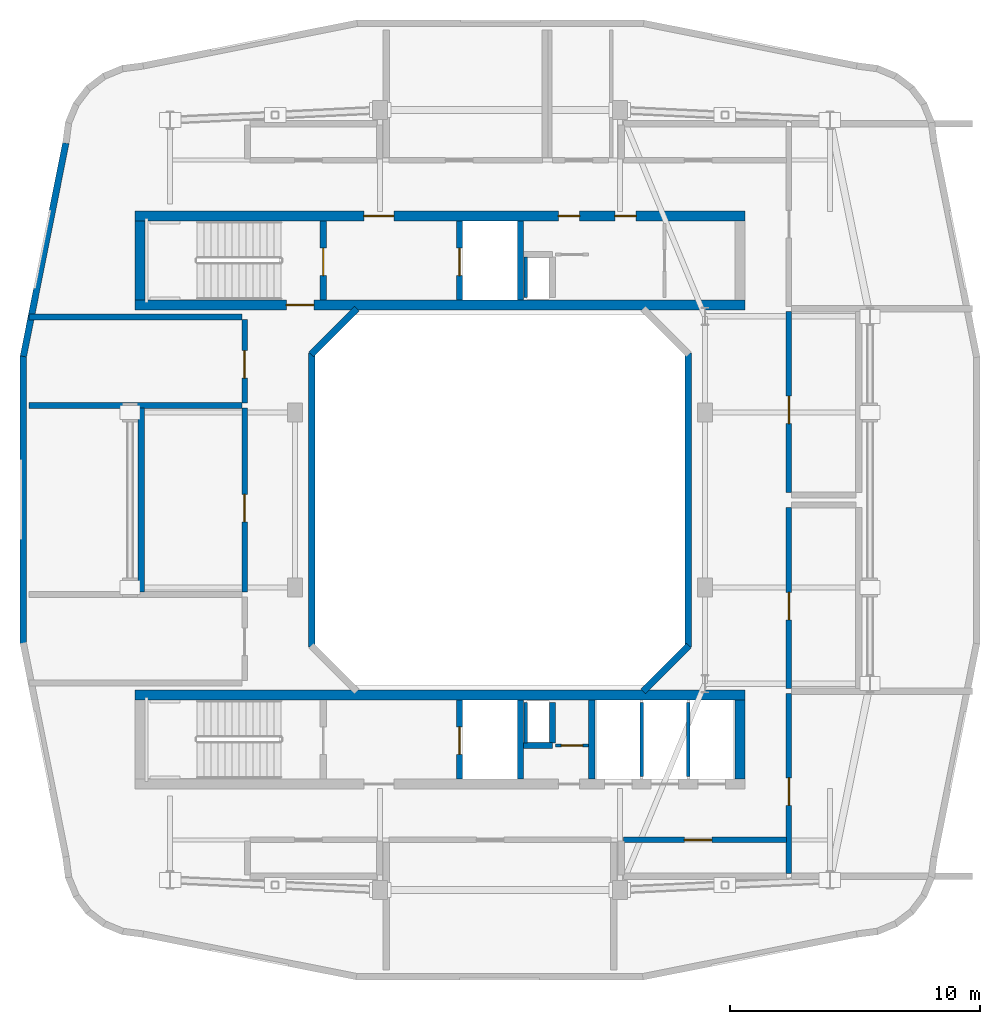
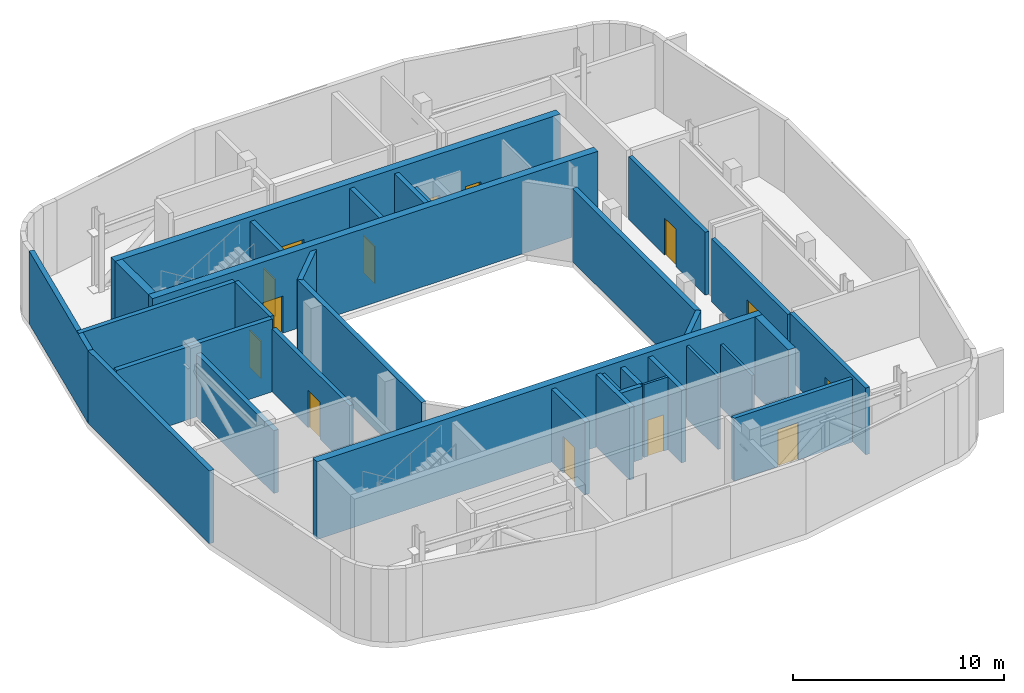
# One storey, part 4 of 9: 33 walls, 14 doors, 14 openings.
"""IFC4 building model written with IfcOpenShell, lengths in metres."""

from ifc_helpers import new_model, si_unit, derived_unit, direction, frame, frame_2d, origin, place, context, subcontext, project, spatial, rectangle, extrude, material, layer, layer_set, type_object, element, fill, save


model = new_model("IFC4")

# Units and contexts
model_context = context("Model", 3, precision=1e-05, world=origin(), true_north=direction((0.0, 1.0)))
body_context = subcontext(model_context, "Body", "Model", "MODEL_VIEW")
ifc_project = project(units=[si_unit("LENGTHUNIT", "METRE"), si_unit("AREAUNIT", "SQUARE_METRE"), si_unit("VOLUMEUNIT", "CUBIC_METRE"), si_unit("PLANEANGLEUNIT", "RADIAN"), si_unit("MASSUNIT", "GRAM", prefix="KILO"), derived_unit("THERMALTRANSMITTANCEUNIT", [(si_unit("POWERUNIT", "WATT"), 1), (si_unit("LENGTHUNIT", "METRE"), -2), (si_unit("THERMODYNAMICTEMPERATUREUNIT", "KELVIN"), -1)])], contexts=[model_context])

# Site, building, storey
site_placement = place(None, origin())
site = spatial("IfcSite", under=ifc_project, at=site_placement, CompositionType="ELEMENT")
building_placement = place(site_placement, origin())
building = spatial("IfcBuilding", under=site, at=building_placement, Name="Kivonza Crest Hotel", CompositionType="ELEMENT")
storey_placement = place(building_placement, frame((0.0, 0.0, 238.699951171875)))
storey = spatial("IfcBuildingStorey", under=building, at=storey_placement, Name="L65", CompositionType="ELEMENT", Elevation=238.699951171875)

# Wall, opening, door
ifc_material_1 = material(Name="Autoclaved aerated concrete blockwork", Category="masonry")
ifc_layer_1 = layer(ifc_material_1, 0.219970703125)
ifc_layer_set_1 = layer_set([ifc_layer_1], Name="Autoclaved aerated concrete blockwork")
wall_type_1 = type_object("IfcWallType", Name="WL-ACOU-220", PredefinedType="SOLIDWALL", material=ifc_layer_set_1)
wall_1_placement = place(storey_placement, frame((10.780029296875, 21.320068359375, 0.0), z_axis=(0.0, 0.0, 1.0), x_axis=(0.0, 1.0, 0.0)))
wall_1 = element("IfcWall", 1, at=wall_1_placement, inside=storey, type_object=wall_type_1, Name="L65 interior partition WA-L65-PL-CHL-E", PredefinedType="SOLIDWALL", context=body_context, shape_type="SweptSolid", body=[
    extrude(rectangle(XDim=7.35986328125, YDim=0.219970703125, at=frame_2d((3.679931640625, 0.0))), origin(), (0.0, 0.0, 1.0), 3.64501953125),
])
opening_1_placement = place(wall_1_placement, frame((2.806884765625, 0.0, 0.0)))
opening_1 = element("IfcOpeningElement", 2, at=opening_1_placement, cuts=wall_1, Name="Opening DF-120", PredefinedType="OPENING", context=body_context, shape_type="SweptSolid", body=[
    extrude(rectangle(XDim=1.10009765625, YDim=2.14990234375, at=frame_2d((0.550048828125, 1.074951171875))), frame((0.0, 0.1201171875, 0.0), z_axis=(0.0, -1.0, 0.0), x_axis=(1.0, 0.0, 0.0)), (0.0, 0.0, 1.0), 0.239990234375),
])
ifc_material_2 = material(Name="Galvanised steel", Category="steel")
door_type_1 = type_object("IfcDoorType", Name="DR-FD120-1100", OperationType="NOTDEFINED", PredefinedType="DOOR", material=ifc_material_2)
door_1_placement = place(opening_1_placement, origin())
door_1 = element("IfcDoor", 3, at=door_1_placement, inside=storey, type_object=door_type_1, Name="L65 Chilled Water Header Plant Room door", OperationType="SINGLE_SWING_LEFT", OverallHeight=2.14990234375, OverallWidth=1.10009765625, PredefinedType="DOOR", context=body_context, shape_type="SweptSolid", body=[
    extrude(rectangle(XDim=1.10009765625, YDim=2.14990234375, at=frame_2d((0.550048828125, 1.074951171875))), frame((0.0, 0.02490234375, 0.0), z_axis=(0.0, -1.0, 0.0), x_axis=(1.0, 0.0, 0.0)), (0.0, 0.0, 1.0), 0.050048828125),
])
fill(opening_1, door_1)

wall_2_placement = place(storey_placement, frame((10.780029296875, 28.8798828125, 0.0), z_axis=(0.0, 0.0, 1.0), x_axis=(0.0, 1.0, 0.0)))
wall_2 = element("IfcWall", 4, at=wall_2_placement, inside=storey, type_object=wall_type_1, Name="L65 interior partition WA-L65-PL-AHU-E", PredefinedType="SOLIDWALL", context=body_context, shape_type="SweptSolid", body=[
    extrude(rectangle(XDim=3.340087890625, YDim=0.219970703125, at=frame_2d((1.669921875, 0.0))), origin(), (0.0, 0.0, 1.0), 4.219970703125),
])
opening_2_placement = place(wall_2_placement, frame((0.998046875, 0.0, 0.0)))
opening_2 = element("IfcOpeningElement", 5, at=opening_2_placement, cuts=wall_2, Name="Opening DF-120", PredefinedType="OPENING", context=body_context, shape_type="SweptSolid", body=[
    extrude(rectangle(XDim=1.10009765625, YDim=2.14990234375, at=frame_2d((0.550048828125, 1.074951171875))), frame((0.0, 0.1201171875, 0.0), z_axis=(0.0, -1.0, 0.0), x_axis=(1.0, 0.0, 0.0)), (0.0, 0.0, 1.0), 0.239990234375),
])
door_2_placement = place(opening_2_placement, origin())
door_2 = element("IfcDoor", 6, at=door_2_placement, inside=storey, type_object=door_type_1, Name="L65 AHU Air Handling Plant Room door", OperationType="SINGLE_SWING_RIGHT", OverallHeight=2.14990234375, OverallWidth=1.10009765625, PredefinedType="DOOR", context=body_context, shape_type="SweptSolid", body=[
    extrude(rectangle(XDim=1.10009765625, YDim=2.14990234375, at=frame_2d((0.550048828125, 1.074951171875))), frame((0.0, 0.02490234375, 0.0), z_axis=(0.0, -1.0, 0.0), x_axis=(1.0, 0.0, 0.0)), (0.0, 0.0, 1.0), 0.050048828125),
])
fill(opening_2, door_2)

wall_3_placement = place(storey_placement, frame((25.949951171875, 11.39990234375, 0.0), z_axis=(0.0, 0.0, 1.0), x_axis=(1.0, 0.0, 0.0)))
wall_3 = element("IfcWall", 7, at=wall_3_placement, inside=storey, type_object=wall_type_1, Name="L65 interior partition WA-L65-PL-MIDS-N", PredefinedType="SOLIDWALL", context=body_context, shape_type="SweptSolid", body=[
    extrude(rectangle(XDim=6.510009765625, YDim=0.219970703125, at=frame_2d((3.2548828125, 0.0))), origin(), (0.0, 0.0, 1.0), 3.64501953125),
])
opening_3_placement = place(wall_3_placement, frame((2.425048828125, 0.0, 0.0)))
opening_3 = element("IfcOpeningElement", 8, at=opening_3_placement, cuts=wall_3, Name="Opening DF-120", PredefinedType="OPENING", context=body_context, shape_type="SweptSolid", body=[
    extrude(rectangle(XDim=1.10009765625, YDim=2.14990234375, at=frame_2d((0.550048828125, 1.074951171875))), frame((0.0, 0.1201171875, 0.0), z_axis=(0.0, -1.0, 0.0), x_axis=(1.0, 0.0, 0.0)), (0.0, 0.0, 1.0), 0.239990234375),
])
door_3_placement = place(opening_3_placement, frame((1.10009765625, 0.0, 0.0), z_axis=(0.0, 0.0, 1.0), x_axis=(-1.0, 0.0, 0.0)))
door_3 = element("IfcDoor", 9, at=door_3_placement, inside=storey, type_object=door_type_1, Name="L65 South-East Header Plant Room door", OperationType="SINGLE_SWING_LEFT", OverallHeight=2.14990234375, OverallWidth=1.10009765625, PredefinedType="DOOR", context=body_context, shape_type="SweptSolid", body=[
    extrude(rectangle(XDim=1.10009765625, YDim=2.14990234375, at=frame_2d((0.550048828125, 1.074951171875))), frame((0.0, 0.02490234375, 0.0), z_axis=(0.0, -1.0, 0.0), x_axis=(1.0, 0.0, 0.0)), (0.0, 0.0, 1.0), 0.050048828125),
])
fill(opening_3, door_3)

wall_4_placement = place(storey_placement, frame((32.56005859375, 17.449951171875, 0.0), z_axis=(0.0, 0.0, 1.0), x_axis=(0.0, 1.0, 0.0)))
wall_4 = element("IfcWall", 10, at=wall_4_placement, inside=storey, type_object=wall_type_1, Name="L65 interior partition WA-L65-PL-HEX-W", PredefinedType="SOLIDWALL", context=body_context, shape_type="SweptSolid", body=[
    extrude(rectangle(XDim=7.25, YDim=0.219970703125, at=frame_2d((3.625, 0.0))), origin(), (0.0, 0.0, 1.0), 3.64501953125),
])
opening_4_placement = place(wall_4_placement, frame((2.757080078125, 0.0, 0.0)))
opening_4 = element("IfcOpeningElement", 11, at=opening_4_placement, cuts=wall_4, Name="Opening DF-120", PredefinedType="OPENING", context=body_context, shape_type="SweptSolid", body=[
    extrude(rectangle(XDim=1.10009765625, YDim=2.14990234375, at=frame_2d((0.550048828125, 1.074951171875))), frame((0.0, 0.1201171875, 0.0), z_axis=(0.0, -1.0, 0.0), x_axis=(1.0, 0.0, 0.0)), (0.0, 0.0, 1.0), 0.239990234375),
])
door_4_placement = place(opening_4_placement, frame((1.10009765625, 0.0, 0.0), z_axis=(0.0, 0.0, 1.0), x_axis=(-1.0, 0.0, 0.0)))
door_4 = element("IfcDoor", 12, at=door_4_placement, inside=storey, type_object=door_type_1, Name="L65 Plate Heat Exchanger Plant Room door", OperationType="SINGLE_SWING_LEFT", OverallHeight=2.14990234375, OverallWidth=1.10009765625, PredefinedType="DOOR", context=body_context, shape_type="SweptSolid", body=[
    extrude(rectangle(XDim=1.10009765625, YDim=2.14990234375, at=frame_2d((0.550048828125, 1.074951171875))), frame((0.0, 0.02490234375, 0.0), z_axis=(0.0, -1.0, 0.0), x_axis=(1.0, 0.0, 0.0)), (0.0, 0.0, 1.0), 0.050048828125),
])
fill(opening_4, door_4)

wall_5_placement = place(storey_placement, frame((32.56005859375, 25.300048828125, 0.0), z_axis=(0.0, 0.0, 1.0), x_axis=(0.0, 1.0, 0.0)))
wall_5 = element("IfcWall", 13, at=wall_5_placement, inside=storey, type_object=wall_type_1, Name="L65 interior partition WA-L65-PL-SWG-W", PredefinedType="SOLIDWALL", context=body_context, shape_type="SweptSolid", body=[
    extrude(rectangle(XDim=7.25, YDim=0.219970703125, at=frame_2d((3.625, 0.0))), origin(), (0.0, 0.0, 1.0), 3.64501953125),
])
opening_5_placement = place(wall_5_placement, frame((2.757080078125, 0.0, 0.0)))
opening_5 = element("IfcOpeningElement", 14, at=opening_5_placement, cuts=wall_5, Name="Opening DF-120", PredefinedType="OPENING", context=body_context, shape_type="SweptSolid", body=[
    extrude(rectangle(XDim=1.10009765625, YDim=2.14990234375, at=frame_2d((0.550048828125, 1.074951171875))), frame((0.0, 0.1201171875, 0.0), z_axis=(0.0, -1.0, 0.0), x_axis=(1.0, 0.0, 0.0)), (0.0, 0.0, 1.0), 0.239990234375),
])
door_5_placement = place(opening_5_placement, frame((1.10009765625, 0.0, 0.0), z_axis=(0.0, 0.0, 1.0), x_axis=(-1.0, 0.0, 0.0)))
door_5 = element("IfcDoor", 15, at=door_5_placement, inside=storey, type_object=door_type_1, Name="L65 High-Zone Electrical Switchroom door", OperationType="SINGLE_SWING_RIGHT", OverallHeight=2.14990234375, OverallWidth=1.10009765625, PredefinedType="DOOR", context=body_context, shape_type="SweptSolid", body=[
    extrude(rectangle(XDim=1.10009765625, YDim=2.14990234375, at=frame_2d((0.550048828125, 1.074951171875))), frame((0.0, 0.02490234375, 0.0), z_axis=(0.0, -1.0, 0.0), x_axis=(1.0, 0.0, 0.0)), (0.0, 0.0, 1.0), 0.050048828125),
])
fill(opening_5, door_5)

wall_6_placement = place(storey_placement, frame((32.56005859375, 10.050048828125, 0.0), z_axis=(0.0, 0.0, 1.0), x_axis=(0.0, 1.0, 0.0)))
wall_6 = element("IfcWall", 16, at=wall_6_placement, inside=storey, type_object=wall_type_1, Name="L65 interior partition WA-L65-PL-ESTS-W", PredefinedType="SOLIDWALL", context=body_context, shape_type="SweptSolid", body=[
    extrude(rectangle(XDim=7.199951171875, YDim=0.219970703125, at=frame_2d((3.60009765625, 0.0))), origin(), (0.0, 0.0, 1.0), 3.864990234375),
])
opening_6_placement = place(wall_6_placement, frame((2.735107421875, 0.0, 0.0)))
opening_6 = element("IfcOpeningElement", 17, at=opening_6_placement, cuts=wall_6, Name="Opening DF-120", PredefinedType="OPENING", context=body_context, shape_type="SweptSolid", body=[
    extrude(rectangle(XDim=1.10009765625, YDim=2.14990234375, at=frame_2d((0.550048828125, 1.074951171875))), frame((0.0, 0.1201171875, 0.0), z_axis=(0.0, -1.0, 0.0), x_axis=(1.0, 0.0, 0.0)), (0.0, 0.0, 1.0), 0.239990234375),
])
door_6_placement = place(opening_6_placement, frame((1.10009765625, 0.0, 0.0), z_axis=(0.0, 0.0, 1.0), x_axis=(-1.0, 0.0, 0.0)))
door_6 = element("IfcDoor", 18, at=door_6_placement, inside=storey, type_object=door_type_1, Name="L65 South-East Smoke Extract Plant Room door", OperationType="SINGLE_SWING_LEFT", OverallHeight=2.14990234375, OverallWidth=1.10009765625, PredefinedType="DOOR", context=body_context, shape_type="SweptSolid", body=[
    extrude(rectangle(XDim=1.10009765625, YDim=2.14990234375, at=frame_2d((0.550048828125, 1.074951171875))), frame((0.0, 0.02490234375, 0.0), z_axis=(0.0, -1.0, 0.0), x_axis=(1.0, 0.0, 0.0)), (0.0, 0.0, 1.0), 0.050048828125),
])
fill(opening_6, door_6)

ifc_material_3 = material(Name="Concrete C50/60", Category="concrete")
ifc_layer_2 = layer(ifc_material_3, 0.39990234375)
ifc_layer_set_2 = layer_set([ifc_layer_2], Name="Concrete C50/60")
wall_type_2 = type_object("IfcWallType", Name="WL-CORE-400", PredefinedType="SHEAR", material=ifc_layer_set_2)
wall_7_placement = place(storey_placement, frame((6.39990234375, 32.800048828125, 0.0), z_axis=(0.0, 0.0, 1.0), x_axis=(1.0, 0.0, 0.0)))
wall_7 = element("IfcWall", 19, at=wall_7_placement, inside=storey, type_object=wall_type_2, Name="Core wall T1-N South L65", PredefinedType="SHEAR", context=body_context, shape_type="SweptSolid", body=[
    extrude(rectangle(XDim=24.400146484375, YDim=0.39990234375, at=frame_2d((12.2001953125, 0.0))), origin(), (0.0, 0.0, 1.0), 4.5),
])
opening_7_placement = place(wall_7_placement, frame((6.050048828125, 0.0, 0.0)))
opening_7 = element("IfcOpeningElement", 20, at=opening_7_placement, cuts=wall_7, Name="Opening DF-120", PredefinedType="OPENING", context=body_context, shape_type="SweptSolid", body=[
    extrude(rectangle(XDim=1.10009765625, YDim=2.14990234375, at=frame_2d((0.550048828125, 1.074951171875))), frame((0.0, 0.2099609375, 0.0), z_axis=(0.0, -1.0, 0.0), x_axis=(1.0, 0.0, 0.0)), (0.0, 0.0, 1.0), 0.419921875),
])
door_7_placement = place(opening_7_placement, origin())
door_7 = element("IfcDoor", 21, at=door_7_placement, inside=storey, type_object=door_type_1, Name="L65 West plant corridor stair fire door", OperationType="SINGLE_SWING_LEFT", OverallHeight=2.14990234375, OverallWidth=1.10009765625, PredefinedType="DOOR", context=body_context, shape_type="SweptSolid", body=[
    extrude(rectangle(XDim=1.10009765625, YDim=2.14990234375, at=frame_2d((0.550048828125, 1.074951171875))), frame((0.0, 0.02490234375, 0.0), z_axis=(0.0, -1.0, 0.0), x_axis=(1.0, 0.0, 0.0)), (0.0, 0.0, 1.0), 0.050048828125),
])
fill(opening_7, door_7)

# Wall, openings, doors
wall_8_placement = place(storey_placement, frame((6.39990234375, 36.360107421875, 0.0), z_axis=(0.0, 0.0, 1.0), x_axis=(1.0, 0.0, 0.0)))
wall_8 = element("IfcWall", 22, at=wall_8_placement, inside=storey, type_object=wall_type_2, Name="Core wall T1-N North L65", PredefinedType="SHEAR", context=body_context, shape_type="SweptSolid", body=[
    extrude(rectangle(XDim=24.400146484375, YDim=0.39990234375, at=frame_2d((12.2001953125, 0.0))), origin(), (0.0, 0.0, 1.0), 4.5),
])
opening_8_placement = place(wall_8_placement, frame((9.14990234375, 0.0, 0.0)))
opening_8 = element("IfcOpeningElement", 23, at=opening_8_placement, cuts=wall_8, Name="Opening DF-60", PredefinedType="OPENING", context=body_context, shape_type="SweptSolid", body=[
    extrude(rectangle(XDim=1.199951171875, YDim=2.14990234375, at=frame_2d((0.60009765625, 1.074951171875))), frame((0.0, 0.2099609375, 0.0), z_axis=(0.0, -1.0, 0.0), x_axis=(1.0, 0.0, 0.0)), (0.0, 0.0, 1.0), 0.419921875),
])
opening_9_placement = place(wall_8_placement, frame((19.199951171875, 0.0, 0.0)))
opening_9 = element("IfcOpeningElement", 24, at=opening_9_placement, cuts=wall_8, Name="Opening DF-60R", PredefinedType="OPENING", context=body_context, shape_type="SweptSolid", body=[
    extrude(rectangle(XDim=0.85009765625, YDim=2.10009765625, at=frame_2d((0.425048828125, 1.050048828125))), frame((0.0, 0.2099609375, 0.0), z_axis=(0.0, -1.0, 0.0), x_axis=(1.0, 0.0, 0.0)), (0.0, 0.0, 1.0), 0.419921875),
])
opening_10_placement = place(wall_8_placement, frame((16.93994140625, 0.0, 0.0)))
opening_10 = element("IfcOpeningElement", 25, at=opening_10_placement, cuts=wall_8, Name="Opening DF-60R", PredefinedType="OPENING", context=body_context, shape_type="SweptSolid", body=[
    extrude(rectangle(XDim=0.85009765625, YDim=2.10009765625, at=frame_2d((0.425048828125, 1.050048828125))), frame((0.0, 0.2099609375, 0.0), z_axis=(0.0, -1.0, 0.0), x_axis=(1.0, 0.0, 0.0)), (0.0, 0.0, 1.0), 0.419921875),
])
ifc_material_4 = material(Name="Hardwood timber oak", Category="wood")
door_type_2 = type_object("IfcDoorType", Name="DR-FD60-1200", OperationType="NOTDEFINED", PredefinedType="DOOR", material=ifc_material_4)
door_8_placement = place(opening_8_placement, origin())
door_8 = element("IfcDoor", 26, at=door_8_placement, inside=storey, type_object=door_type_2, Name="L65 T1-N firefighting lobby fire door", OperationType="SINGLE_SWING_RIGHT", OverallHeight=2.14990234375, OverallWidth=1.199951171875, PredefinedType="DOOR", context=body_context, shape_type="SweptSolid", body=[
    extrude(rectangle(XDim=1.199951171875, YDim=2.14990234375, at=frame_2d((0.60009765625, 1.074951171875))), frame((0.0, 0.02490234375, 0.0), z_axis=(0.0, -1.0, 0.0), x_axis=(1.0, 0.0, 0.0)), (0.0, 0.0, 1.0), 0.050048828125),
])
fill(opening_8, door_8)
door_type_3 = type_object("IfcDoorType", Name="DR-FD60-850", OperationType="NOTDEFINED", PredefinedType="DOOR", material=ifc_material_4)
door_9_placement = place(opening_9_placement, origin())
door_9 = element("IfcDoor", 27, at=door_9_placement, inside=storey, type_object=door_type_3, Name="L65 T1-N reclaimed core service door", OperationType="SINGLE_SWING_LEFT", OverallHeight=2.10009765625, OverallWidth=0.85009765625, PredefinedType="DOOR", context=body_context, shape_type="SweptSolid", body=[
    extrude(rectangle(XDim=0.85009765625, YDim=2.10009765625, at=frame_2d((0.425048828125, 1.050048828125))), frame((0.0, 0.02490234375, 0.0), z_axis=(0.0, -1.0, 0.0), x_axis=(1.0, 0.0, 0.0)), (0.0, 0.0, 1.0), 0.050048828125),
])
fill(opening_9, door_9)
door_10_placement = place(opening_10_placement, origin())
door_10 = element("IfcDoor", 28, at=door_10_placement, inside=storey, type_object=door_type_3, Name="L65 T1-N core room door", OperationType="SINGLE_SWING_RIGHT", OverallHeight=2.10009765625, OverallWidth=0.85009765625, PredefinedType="DOOR", context=body_context, shape_type="SweptSolid", body=[
    extrude(rectangle(XDim=0.85009765625, YDim=2.10009765625, at=frame_2d((0.425048828125, 1.050048828125))), frame((0.0, 0.02490234375, 0.0), z_axis=(0.0, -1.0, 0.0), x_axis=(1.0, 0.0, 0.0)), (0.0, 0.0, 1.0), 0.050048828125),
])
fill(opening_10, door_10)

# Walls
wall_9_placement = place(storey_placement, frame((6.60009765625, 33.0, 0.0), z_axis=(0.0, 0.0, 1.0), x_axis=(0.0, 1.0, 0.0)))
element("IfcWall", 29, at=wall_9_placement, inside=storey, type_object=wall_type_2, Name="Core wall T1-N West L65", PredefinedType="SHEAR", context=body_context, shape_type="SweptSolid", body=[
    extrude(rectangle(XDim=3.159912109375, YDim=0.39990234375, at=frame_2d((1.580078125, 0.0))), origin(), (0.0, 0.0, 1.0), 4.5),
])
wall_10_placement = place(storey_placement, frame((6.39990234375, 17.199951171875, 0.0), z_axis=(0.0, 0.0, 1.0), x_axis=(1.0, 0.0, 0.0)))
element("IfcWall", 30, at=wall_10_placement, inside=storey, type_object=wall_type_2, Name="Core wall T1-S North L65", PredefinedType="SHEAR", context=body_context, shape_type="SweptSolid", body=[
    extrude(rectangle(XDim=24.400146484375, YDim=0.39990234375, at=frame_2d((12.2001953125, 0.0))), origin(), (0.0, 0.0, 1.0), 4.5),
])
wall_11_placement = place(storey_placement, frame((30.60009765625, 13.840087890625, 0.0), z_axis=(0.0, 0.0, 1.0), x_axis=(0.0, 1.0, 0.0)))
element("IfcWall", 31, at=wall_11_placement, inside=storey, type_object=wall_type_2, Name="Core wall T1-S East L65", PredefinedType="SHEAR", context=body_context, shape_type="SweptSolid", body=[
    extrude(rectangle(XDim=3.159912109375, YDim=0.39990234375, at=frame_2d((1.580078125, 0.0))), origin(), (0.0, 0.0, 1.0), 4.5),
])
ifc_material_5 = material(Name="Precast concrete C40/50", Category="concrete")
ifc_layer_3 = layer(ifc_material_5, 0.260009765625)
ifc_layer_set_3 = layer_set([ifc_layer_3], Name="Precast concrete C40/50")
wall_type_3 = type_object("IfcWallType", Name="WL-EXT-260", PredefinedType="STANDARD", material=ifc_layer_set_3)
wall_12_placement = place(storey_placement, frame((3.62890625, 39.282958984375, 0.0), z_axis=(0.0, 0.0, 1.0), x_axis=(-0.1952747242, -0.980748582507, 0.0)))
element("IfcWall", 32, at=wall_12_placement, inside=storey, type_object=wall_type_3, Name="L65 T1 exterior insulated wall 34", PredefinedType="STANDARD", context=body_context, shape_type="SweptSolid", body=[
    extrude(rectangle(XDim=8.705322265625, YDim=0.260009765625, at=frame_2d((4.3525390625, 0.0))), origin(), (0.0, 0.0, 1.0), 4.219970703125),
])
wall_13_placement = place(storey_placement, frame((1.929931640625, 30.784912109375, 0.0), z_axis=(0.0, 0.0, 1.0), x_axis=(0.0, -1.0, 0.0)))
element("IfcWall", 33, at=wall_13_placement, inside=storey, type_object=wall_type_3, Name="L65 T1 exterior insulated wall 35", PredefinedType="STANDARD", context=body_context, shape_type="SweptSolid", body=[
    extrude(rectangle(XDim=11.534912109375, YDim=0.260009765625, at=frame_2d((5.767578125, 0.0))), origin(), (0.0, 0.0, 1.0), 4.219970703125),
])
wall_14_placement = place(storey_placement, frame((26.721923828125, 17.337890625, 0.0), z_axis=(0.0, 0.0, 1.0), x_axis=(0.707059717605, 0.707153841636, 0.0)))
element("IfcWall", 34, at=wall_14_placement, inside=storey, type_object=wall_type_3, Name="L65 T1 light-well exterior wall 2", PredefinedType="STANDARD", context=body_context, shape_type="SweptSolid", body=[
    extrude(rectangle(XDim=2.59375, YDim=0.260009765625, at=frame_2d((1.296875, 0.0))), origin(), (0.0, 0.0, 1.0), 4.219970703125),
])
wall_15_placement = place(storey_placement, frame((28.530029296875, 19.110107421875, 0.0), z_axis=(0.0, 0.0, 1.0), x_axis=(0.0, 1.0, 0.0)))
element("IfcWall", 35, at=wall_15_placement, inside=storey, type_object=wall_type_3, Name="L65 T1 light-well exterior wall 3", PredefinedType="STANDARD", context=body_context, shape_type="SweptSolid", body=[
    extrude(rectangle(XDim=11.77978515625, YDim=0.260009765625, at=frame_2d((5.889892578125, 0.0))), origin(), (0.0, 0.0, 1.0), 4.219970703125),
])
wall_16_placement = place(storey_placement, frame((15.278076171875, 32.662109375, 0.0), z_axis=(0.0, 0.0, 1.0), x_axis=(-0.707059717605, -0.707153841636, 0.0)))
element("IfcWall", 36, at=wall_16_placement, inside=storey, type_object=wall_type_3, Name="L65 T1 light-well exterior wall 6", PredefinedType="STANDARD", context=body_context, shape_type="SweptSolid", body=[
    extrude(rectangle(XDim=2.59375, YDim=0.260009765625, at=frame_2d((1.296875, 0.0))), origin(), (0.0, 0.0, 1.0), 4.219970703125),
])
wall_17_placement = place(storey_placement, frame((13.469970703125, 30.889892578125, 0.0), z_axis=(0.0, 0.0, 1.0), x_axis=(0.0, -1.0, 0.0)))
element("IfcWall", 37, at=wall_17_placement, inside=storey, type_object=wall_type_3, Name="L65 T1 light-well exterior wall 7", PredefinedType="STANDARD", context=body_context, shape_type="SweptSolid", body=[
    extrude(rectangle(XDim=11.77978515625, YDim=0.260009765625, at=frame_2d((5.889892578125, 0.0))), origin(), (0.0, 0.0, 1.0), 4.219970703125),
])
ifc_material_6 = material(Name="Concrete blockwork fire-compartment wall", Category="masonry")
ifc_layer_4 = layer(ifc_material_6, 0.25)
ifc_layer_set_4 = layer_set([ifc_layer_4], Name="Concrete blockwork fire-compartment wall")
wall_type_4 = type_object("IfcWallType", Name="WL-FIRE-250", PredefinedType="SOLIDWALL", material=ifc_layer_set_4)
wall_18_placement = place(storey_placement, frame((23.10009765625, 15.280029296875, 0.0), z_axis=(0.0, 0.0, 1.0), x_axis=(0.0, 1.0, 0.0)))
element("IfcWall", 38, at=wall_18_placement, inside=storey, type_object=wall_type_4, Name="L65 interior partition WA-L65-T1-S-MEPR-E", PredefinedType="SOLIDWALL", context=body_context, shape_type="SweptSolid", body=[
    extrude(rectangle(XDim=1.619873046875, YDim=0.25, at=frame_2d((0.81005859375, 0.0))), origin(), (0.0, 0.0, 1.0), 4.219970703125),
])
wall_19_placement = place(storey_placement, frame((21.949951171875, 15.179931640625, 0.0), z_axis=(0.0, 0.0, 1.0), x_axis=(1.0, 0.0, 0.0)))
element("IfcWall", 39, at=wall_19_placement, inside=storey, type_object=wall_type_4, Name="L65 interior partition WA-L65-T1-S-MEPR-H", PredefinedType="SOLIDWALL", context=body_context, shape_type="SweptSolid", body=[
    extrude(rectangle(XDim=1.150146484375, YDim=0.25, at=frame_2d((0.5751953125, 0.0))), origin(), (0.0, 0.0, 1.0), 4.219970703125),
])
wall_20_placement = place(storey_placement, frame((6.64990234375, 21.320068359375, 0.0), z_axis=(0.0, 0.0, 1.0), x_axis=(0.0, 1.0, 0.0)))
element("IfcWall", 40, at=wall_20_placement, inside=storey, type_object=wall_type_4, Name="L65 interior partition WP-L65-PL-CHL-BW", PredefinedType="SOLIDWALL", context=body_context, shape_type="SweptSolid", body=[
    extrude(rectangle(XDim=7.35986328125, YDim=0.25, at=frame_2d((3.679931640625, 0.0))), origin(), (0.0, 0.0, 1.0), 3.64501953125),
])
for number, where, z_axis, x_axis, name in (
    (41, (2.14990234375, 28.780029296875, 0.0), (0.0, 0.0, 1.0), (1.0, 0.0, 0.0), "L65 interior partition WP-L65-PL-AHU-BS"),
    (42, (2.14990234375, 32.320068359375, 0.0), (0.0, 0.0, 1.0), (1.0, 0.0, 0.0), "L65 interior partition WP-L65-PL-AHU-BN"),
):
    element("IfcWall", number, at=place(storey_placement, frame(where, z_axis=z_axis, x_axis=x_axis)), inside=storey, type_object=wall_type_4, Name=name, PredefinedType="SOLIDWALL", context=body_context, shape_type="SweptSolid", body=[
        extrude(rectangle(XDim=8.530029296875, YDim=0.25, at=frame_2d((4.26513671875, 0.0))), origin(), (0.0, 0.0, 1.0), 4.219970703125),
    ])

# Wall, opening, door
ifc_material_7 = material(Name="Metal-stud gypsum board partition", Category="gypsum")
ifc_layer_5 = layer(ifc_material_7, 0.125)
ifc_layer_set_5 = layer_set([ifc_layer_5], Name="Metal-stud gypsum board partition")
wall_type_5 = type_object("IfcWallType", Name="WL-PART-125", PredefinedType="PARTITIONING", material=ifc_layer_set_5)
wall_21_placement = place(storey_placement, frame((23.219970703125, 15.179931640625, 0.0), z_axis=(0.0, 0.0, 1.0), x_axis=(1.0, 0.0, 0.0)))
wall_21 = element("IfcWall", 43, at=wall_21_placement, inside=storey, type_object=wall_type_5, Name="L65 interior partition WP-L65-T1-S-SV3H", PredefinedType="PARTITIONING", context=body_context, shape_type="SweptSolid", body=[
    extrude(rectangle(XDim=1.330078125, YDim=0.125, at=frame_2d((0.6650390625, 0.0))), origin(), (0.0, 0.0, 1.0), 4.219970703125),
])
opening_11_placement = place(wall_21_placement, frame((0.239990234375, 0.0, 0.0)))
opening_11 = element("IfcOpeningElement", 44, at=opening_11_placement, cuts=wall_21, Name="Opening DI-85", PredefinedType="OPENING", context=body_context, shape_type="SweptSolid", body=[
    extrude(rectangle(XDim=0.85009765625, YDim=2.10009765625, at=frame_2d((0.425048828125, 1.050048828125))), frame((0.0, 0.072509765625, 0.0), z_axis=(0.0, -1.0, 0.0), x_axis=(1.0, 0.0, 0.0)), (0.0, 0.0, 1.0), 0.14501953125),
])
door_type_4 = type_object("IfcDoorType", Name="DR-INT-850", OperationType="NOTDEFINED", PredefinedType="DOOR", material=ifc_material_4)
door_11_placement = place(opening_11_placement, origin())
door_11 = element("IfcDoor", 45, at=door_11_placement, inside=storey, type_object=door_type_4, Name="L65 T1-S inner manifold door", OperationType="SINGLE_SWING_LEFT", OverallHeight=2.10009765625, OverallWidth=0.85009765625, PredefinedType="DOOR", context=body_context, shape_type="SweptSolid", body=[
    extrude(rectangle(XDim=0.85009765625, YDim=2.10009765625, at=frame_2d((0.425048828125, 1.050048828125))), frame((0.0, 0.02490234375, 0.0), z_axis=(0.0, -1.0, 0.0), x_axis=(1.0, 0.0, 0.0)), (0.0, 0.0, 1.0), 0.050048828125),
])
fill(opening_11, door_11)

# Walls
ifc_material_8 = material(Name="Twin-stud acoustic gypsum board partition", Category="gypsum")
ifc_layer_6 = layer(ifc_material_8, 0.14990234375)
ifc_layer_set_6 = layer_set([ifc_layer_6], Name="Twin-stud acoustic gypsum board partition")
wall_type_6 = type_object("IfcWallType", Name="WL-PART-150", PredefinedType="PARTITIONING", material=ifc_layer_set_6)
for number, where, z_axis, x_axis, name in (
    (46, (22.030029296875, 33.10009765625, 0.0), (0.0, 0.0, 1.0), (0.0, 1.0, 0.0), "L65 interior partition WA-L65-T1-N-MEPR-W"),
    (47, (22.030029296875, 15.280029296875, 0.0), (0.0, 0.0, 1.0), (0.0, 1.0, 0.0), "L65 interior partition WA-L65-T1-S-MEPR-W"),
):
    element("IfcWall", number, at=place(storey_placement, frame(where, z_axis=z_axis, x_axis=x_axis)), inside=storey, type_object=wall_type_6, Name=name, PredefinedType="PARTITIONING", context=body_context, shape_type="SweptSolid", body=[
        extrude(rectangle(XDim=1.619873046875, YDim=0.14990234375, at=frame_2d((0.81005859375, 0.0))), origin(), (0.0, 0.0, 1.0), 4.219970703125),
    ])
wall_22_placement = place(storey_placement, frame((26.6669921875, 13.93994140625, 0.0), z_axis=(0.0, 0.0, 1.0), x_axis=(0.0, 1.0, 0.0)))
element("IfcWall", 48, at=wall_22_placement, inside=storey, type_object=wall_type_6, Name="L65 interior partition WP-L65-T1-S-BSH-1", PredefinedType="PARTITIONING", context=body_context, shape_type="SweptSolid", body=[
    extrude(rectangle(XDim=2.9599609375, YDim=0.14990234375, at=frame_2d((1.47998046875, 0.0))), origin(), (0.0, 0.0, 1.0), 4.219970703125),
])
wall_23_placement = place(storey_placement, frame((28.532958984375, 13.93994140625, 0.0), z_axis=(0.0, 0.0, 1.0), x_axis=(0.0, 1.0, 0.0)))
element("IfcWall", 49, at=wall_23_placement, inside=storey, type_object=wall_type_6, Name="L65 interior partition WP-L65-T1-S-BSH-2", PredefinedType="PARTITIONING", context=body_context, shape_type="SweptSolid", body=[
    extrude(rectangle(XDim=2.9599609375, YDim=0.14990234375, at=frame_2d((1.47998046875, 0.0))), origin(), (0.0, 0.0, 1.0), 3.64501953125),
])

# Wall, opening, door
ifc_layer_7 = layer(ifc_material_3, 0.25)
ifc_layer_set_7 = layer_set([ifc_layer_7], Name="Concrete C50/60")
wall_type_7 = type_object("IfcWallType", Name="WL-SHAFT-250", PredefinedType="STANDARD", material=ifc_layer_set_7)
wall_24_placement = place(storey_placement, frame((13.925048828125, 33.0, 0.0), z_axis=(0.0, 0.0, 1.0), x_axis=(0.0, 1.0, 0.0)))
wall_24 = element("IfcWall", 50, at=wall_24_placement, inside=storey, type_object=wall_type_7, Name="Core shaft wall T1-N STAIR L65", PredefinedType="STANDARD", context=body_context, shape_type="SweptSolid", body=[
    extrude(rectangle(XDim=3.159912109375, YDim=0.25, at=frame_2d((1.580078125, 0.0))), origin(), (0.0, 0.0, 1.0), 4.219970703125),
])
opening_12_placement = place(wall_24_placement, frame((0.97998046875, 0.0, 0.0)))
opening_12 = element("IfcOpeningElement", 51, at=opening_12_placement, cuts=wall_24, Name="Opening DF-120", PredefinedType="OPENING", context=body_context, shape_type="SweptSolid", body=[
    extrude(rectangle(XDim=1.10009765625, YDim=2.14990234375, at=frame_2d((0.550048828125, 1.074951171875))), frame((0.0, 0.135009765625, 0.0), z_axis=(0.0, -1.0, 0.0), x_axis=(1.0, 0.0, 0.0)), (0.0, 0.0, 1.0), 0.27001953125),
])
door_12_placement = place(opening_12_placement, frame((1.10009765625, 0.0, 0.0), z_axis=(0.0, 0.0, 1.0), x_axis=(-1.0, 0.0, 0.0)))
door_12 = element("IfcDoor", 52, at=door_12_placement, inside=storey, type_object=door_type_1, Name="L65 T1-N stair fire door", OperationType="SINGLE_SWING_LEFT", OverallHeight=2.14990234375, OverallWidth=1.10009765625, PredefinedType="DOOR", context=body_context, shape_type="SweptSolid", body=[
    extrude(rectangle(XDim=1.10009765625, YDim=2.14990234375, at=frame_2d((0.550048828125, 1.074951171875))), frame((0.0, 0.02490234375, 0.0), z_axis=(0.0, -1.0, 0.0), x_axis=(1.0, 0.0, 0.0)), (0.0, 0.0, 1.0), 0.050048828125),
])
fill(opening_12, door_12)

wall_25_placement = place(storey_placement, frame((19.375, 33.0, 0.0), z_axis=(0.0, 0.0, 1.0), x_axis=(0.0, 1.0, 0.0)))
wall_25 = element("IfcWall", 53, at=wall_25_placement, inside=storey, type_object=wall_type_7, Name="Core shaft wall T1-N FFL-W L65", PredefinedType="STANDARD", context=body_context, shape_type="SweptSolid", body=[
    extrude(rectangle(XDim=3.159912109375, YDim=0.25, at=frame_2d((1.580078125, 0.0))), origin(), (0.0, 0.0, 1.0), 4.219970703125),
])
opening_13_placement = place(wall_25_placement, frame((0.97998046875, 0.0, 0.0)))
opening_13 = element("IfcOpeningElement", 54, at=opening_13_placement, cuts=wall_25, Name="Opening LD-120", PredefinedType="OPENING", context=body_context, shape_type="SweptSolid", body=[
    extrude(rectangle(XDim=1.10009765625, YDim=2.14990234375, at=frame_2d((0.550048828125, 1.074951171875))), frame((0.0, 0.135009765625, 0.0), z_axis=(0.0, -1.0, 0.0), x_axis=(1.0, 0.0, 0.0)), (0.0, 0.0, 1.0), 0.27001953125),
])
ifc_material_9 = material(Name="Stainless steel", Category="steel")
door_type_5 = type_object("IfcDoorType", Name="DR-LD120-1100", OperationType="NOTDEFINED", PredefinedType="DOOR", material=ifc_material_9)
door_13_placement = place(opening_13_placement, origin())
door_13 = element("IfcDoor", 55, at=door_13_placement, inside=storey, type_object=door_type_5, Name="L65 FFL-T1-N firefighting lift sliding landing door", OperationType="DOUBLE_DOOR_SLIDING", OverallHeight=2.14990234375, OverallWidth=1.10009765625, PredefinedType="DOOR", context=body_context, shape_type="SweptSolid", body=[
    extrude(rectangle(XDim=1.10009765625, YDim=2.14990234375, at=frame_2d((0.550048828125, 1.074951171875))), frame((0.0, 0.02490234375, 0.0), z_axis=(0.0, -1.0, 0.0), x_axis=(1.0, 0.0, 0.0)), (0.0, 0.0, 1.0), 0.050048828125),
])
fill(opening_13, door_13)

# Wall
wall_26_placement = place(storey_placement, frame((21.824951171875, 33.0, 0.0), z_axis=(0.0, 0.0, 1.0), x_axis=(0.0, 1.0, 0.0)))
element("IfcWall", 56, at=wall_26_placement, inside=storey, type_object=wall_type_7, Name="Core shaft wall T1-N FFL-E L65", PredefinedType="STANDARD", context=body_context, shape_type="SweptSolid", body=[
    extrude(rectangle(XDim=3.159912109375, YDim=0.25, at=frame_2d((1.580078125, 0.0))), origin(), (0.0, 0.0, 1.0), 4.219970703125),
])

# Wall, opening, door
wall_27_placement = place(storey_placement, frame((19.375, 13.840087890625, 0.0), z_axis=(0.0, 0.0, 1.0), x_axis=(0.0, 1.0, 0.0)))
wall_27 = element("IfcWall", 57, at=wall_27_placement, inside=storey, type_object=wall_type_7, Name="Core shaft wall T1-S FFL-W L65", PredefinedType="STANDARD", context=body_context, shape_type="SweptSolid", body=[
    extrude(rectangle(XDim=3.159912109375, YDim=0.25, at=frame_2d((1.580078125, 0.0))), origin(), (0.0, 0.0, 1.0), 4.219970703125),
])
opening_14_placement = place(wall_27_placement, frame((0.97998046875, 0.0, 0.0)))
opening_14 = element("IfcOpeningElement", 58, at=opening_14_placement, cuts=wall_27, Name="Opening LD-120", PredefinedType="OPENING", context=body_context, shape_type="SweptSolid", body=[
    extrude(rectangle(XDim=1.10009765625, YDim=2.14990234375, at=frame_2d((0.550048828125, 1.074951171875))), frame((0.0, 0.135009765625, 0.0), z_axis=(0.0, -1.0, 0.0), x_axis=(1.0, 0.0, 0.0)), (0.0, 0.0, 1.0), 0.27001953125),
])
door_14_placement = place(opening_14_placement, origin())
door_14 = element("IfcDoor", 59, at=door_14_placement, inside=storey, type_object=door_type_5, Name="L65 FFL-T1-S firefighting lift sliding landing door", OperationType="DOUBLE_DOOR_SLIDING", OverallHeight=2.14990234375, OverallWidth=1.10009765625, PredefinedType="DOOR", context=body_context, shape_type="SweptSolid", body=[
    extrude(rectangle(XDim=1.10009765625, YDim=2.14990234375, at=frame_2d((0.550048828125, 1.074951171875))), frame((0.0, 0.02490234375, 0.0), z_axis=(0.0, -1.0, 0.0), x_axis=(1.0, 0.0, 0.0)), (0.0, 0.0, 1.0), 0.050048828125),
])
fill(opening_14, door_14)

# Walls
for number, where, z_axis, x_axis, name in (
    (60, (21.824951171875, 13.840087890625, 0.0), (0.0, 0.0, 1.0), (0.0, 1.0, 0.0), "Core shaft wall T1-S FFL-E L65"),
    (61, (24.675048828125, 13.840087890625, 0.0), (0.0, 0.0, 1.0), (0.0, 1.0, 0.0), "Core shaft wall T1-S BANK-W L65"),
):
    element("IfcWall", number, at=place(storey_placement, frame(where, z_axis=z_axis, x_axis=x_axis)), inside=storey, type_object=wall_type_7, Name=name, PredefinedType="STANDARD", context=body_context, shape_type="SweptSolid", body=[
        extrude(rectangle(XDim=3.159912109375, YDim=0.25, at=frame_2d((1.580078125, 0.0))), origin(), (0.0, 0.0, 1.0), 4.219970703125),
    ])

save(model, "model.ifc")
